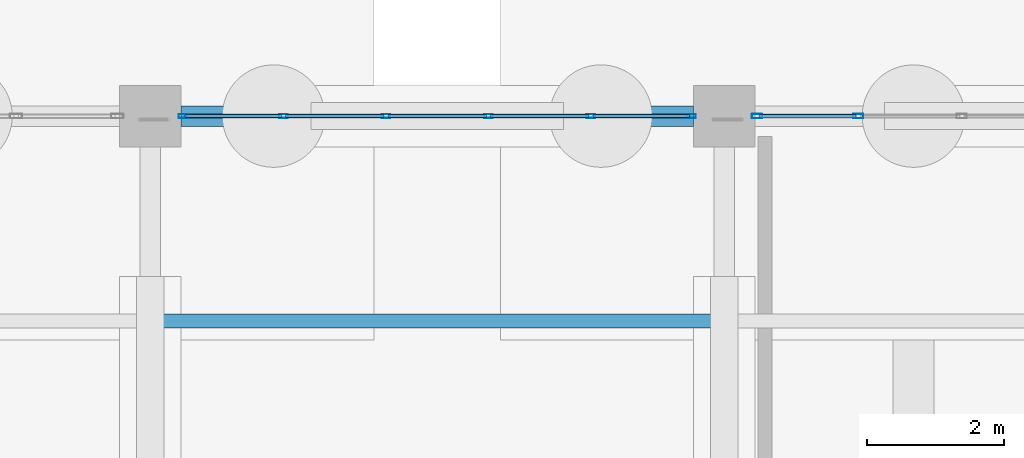
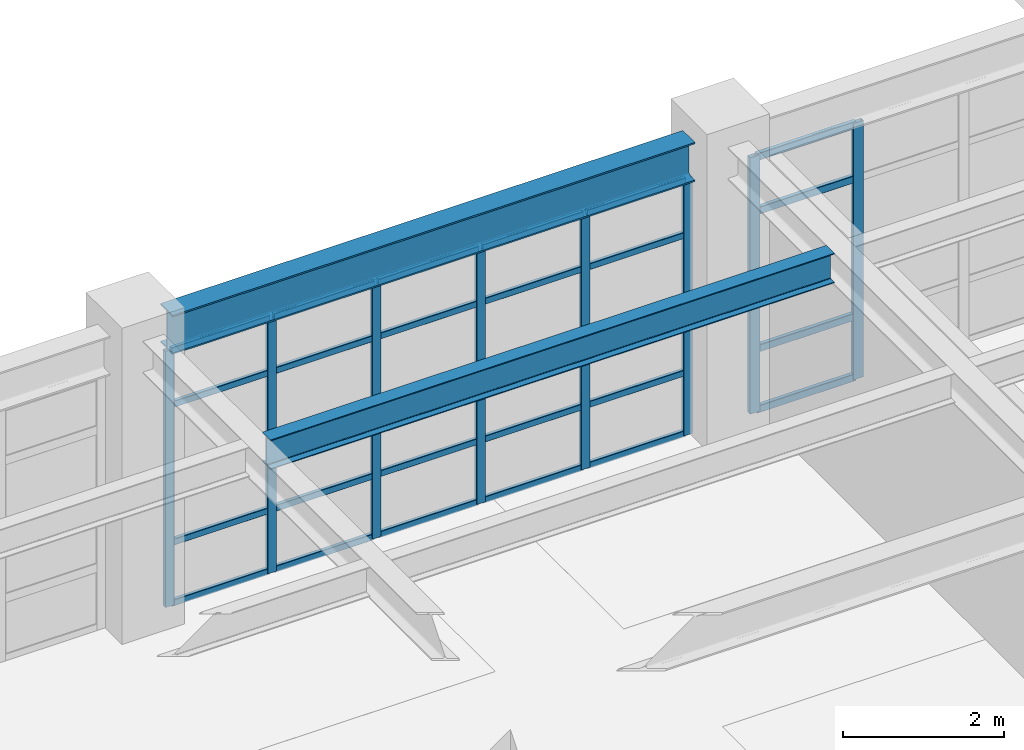
# One storey, part 77 of 139: 32 members, 2 beams, 2 elements without a shape of their own.
"""IFC4 building model written with IfcOpenShell, lengths in metres."""

from ifc_helpers import new_model, si_unit, direction, frame, origin, origin_2d, place, context, subcontext, project, spatial, hollow_rectangle, i_section, extrude, material, material_profile, profile_set, type_object, element, aggregate, save


model = new_model("IFC4")

# Units and contexts
model_context = context("Model", 3, precision=1e-05, world=origin(), true_north=direction((0.0, 1.0)))
body_context = subcontext(model_context, "Body", "Model", "MODEL_VIEW")
ifc_project = project(units=[si_unit("LENGTHUNIT", "METRE"), si_unit("AREAUNIT", "SQUARE_METRE"), si_unit("VOLUMEUNIT", "CUBIC_METRE"), si_unit("PLANEANGLEUNIT", "RADIAN"), si_unit("MASSUNIT", "GRAM", prefix="KILO")], contexts=[model_context])

# Site, building, storey
site_placement = place(None, origin())
site = spatial("IfcSite", under=ifc_project, at=site_placement, CompositionType="ELEMENT")
building_placement = place(site_placement, origin())
building = spatial("IfcBuilding", under=site, at=building_placement, Name="Canglan Escarpment Cableway Terminal", CompositionType="ELEMENT")
storey_placement = place(building_placement, frame((0.0, 0.0, 14.39990234375)))
storey = spatial("IfcBuildingStorey", under=building, at=storey_placement, Name="L03", CompositionType="ELEMENT", Elevation=14.39990234375)

# Beam
ifc_material_1 = material(Name="Steel Q355C", Category="steel")
ifc_material_profile_1 = material_profile(ifc_material_1, i_section(OverallWidth=0.302001953125, OverallDepth=0.593994140625, WebThickness=0.013916015625, FlangeThickness=0.02294921875, FilletRadius=0.028076171875, at=origin_2d()), Name="HM 594x302x14x23")
ifc_profile_set_1 = profile_set([ifc_material_profile_1], Name="Steel Q355C")
beam_type_1 = type_object("IfcBeamType", Name="BM-HM594", PredefinedType="BEAM", material=ifc_profile_set_1)
beam_1_placement = place(storey_placement, frame((120.35009765625, 115.0, 4.203125), z_axis=(1.0, 0.0, 0.0), x_axis=(0.0, 1.0, 0.0)))
element("IfcBeam", 1, at=beam_1_placement, inside=storey, type_object=beam_type_1, Name="Primary structural girder B-07", PredefinedType="BEAM", context=body_context, shape_type="SweptSolid", body=[
    extrude(i_section(OverallWidth=0.302001953125, OverallDepth=0.593994140625, WebThickness=0.013916015625, FlangeThickness=0.02294921875, FilletRadius=0.028076171875, at=origin_2d()), origin(), (0.0, 0.0, 1.0), 7.5),
])

# Curtain wall, members
ifc_material_2 = material(Name="Anodized bronze aluminium and Low-E double glazing", Category="aluminium")
curtain_wall_type_1 = type_object("IfcCurtainWallType", Name="CW-BAY-7500x3900", PredefinedType="NOTDEFINED", material=ifc_material_2)
curtain_wall_1_placement = place(storey_placement, origin())
curtain_wall_1 = element("IfcCurtainWall", 2, at=curtain_wall_1_placement, inside=storey, type_object=curtain_wall_type_1, Name="Classical bay-between-piers glazed curtain wall CW-50", PredefinedType="NOTDEFINED")
ifc_material_3 = material(Name="Thermally broken anodized aluminium 6063-T6", Category="aluminium")
ifc_material_profile_2 = material_profile(ifc_material_3, hollow_rectangle(XDim=0.06005859375, YDim=0.1298828125, WallThickness=0.0029296875, InnerFilletRadius=0.0029296875, OuterFilletRadius=0.006103515625, at=origin_2d()), Name="ALU-MULL 60x130x3")
ifc_profile_set_2 = profile_set([ifc_material_profile_2], Name="Thermally broken anodized aluminium 6063-T6")
member_type_1 = type_object("IfcMemberType", Name="CWM-01", PredefinedType="MULLION", material=ifc_profile_set_2)
member_1_placement = place(storey_placement, frame((127.820068359375, 115.0, 0.0), z_axis=(0.0, 0.0, 1.0), x_axis=(0.0, -1.0, 0.0)))
member_1 = element("IfcMember", 3, at=member_1_placement, type_object=member_type_1, Name="CW-50 mullion 1", PredefinedType="MULLION", context=body_context, shape_type="SweptSolid", body=[
    extrude(hollow_rectangle(XDim=0.06005859375, YDim=0.1298828125, WallThickness=0.0029296875, InnerFilletRadius=0.0029296875, OuterFilletRadius=0.006103515625, at=origin_2d()), origin(), (0.0, 0.0, 1.0), 3.89111328125),
])
member_2_placement = place(storey_placement, frame((126.35009765625, 115.0, 0.0), z_axis=(0.0, 0.0, 1.0), x_axis=(0.0, -1.0, 0.0)))
member_2 = element("IfcMember", 4, at=member_2_placement, type_object=member_type_1, Name="CW-50 mullion 2", PredefinedType="MULLION", context=body_context, shape_type="SweptSolid", body=[
    extrude(hollow_rectangle(XDim=0.06005859375, YDim=0.1298828125, WallThickness=0.0029296875, InnerFilletRadius=0.0029296875, OuterFilletRadius=0.006103515625, at=origin_2d()), origin(), (0.0, 0.0, 1.0), 3.89111328125),
])
member_3_placement = place(storey_placement, frame((124.85009765625, 115.0, 0.0), z_axis=(0.0, 0.0, 1.0), x_axis=(0.0, -1.0, 0.0)))
member_3 = element("IfcMember", 5, at=member_3_placement, type_object=member_type_1, Name="CW-50 mullion 3", PredefinedType="MULLION", context=body_context, shape_type="SweptSolid", body=[
    extrude(hollow_rectangle(XDim=0.06005859375, YDim=0.1298828125, WallThickness=0.0029296875, InnerFilletRadius=0.0029296875, OuterFilletRadius=0.006103515625, at=origin_2d()), origin(), (0.0, 0.0, 1.0), 3.89111328125),
])
member_4_placement = place(storey_placement, frame((123.35009765625, 115.0, 0.0), z_axis=(0.0, 0.0, 1.0), x_axis=(0.0, -1.0, 0.0)))
member_4 = element("IfcMember", 6, at=member_4_placement, type_object=member_type_1, Name="CW-50 mullion 4", PredefinedType="MULLION", context=body_context, shape_type="SweptSolid", body=[
    extrude(hollow_rectangle(XDim=0.06005859375, YDim=0.1298828125, WallThickness=0.0029296875, InnerFilletRadius=0.0029296875, OuterFilletRadius=0.006103515625, at=origin_2d()), origin(), (0.0, 0.0, 1.0), 3.89111328125),
])
member_5_placement = place(storey_placement, frame((121.85009765625, 115.0, 0.0), z_axis=(0.0, 0.0, 1.0), x_axis=(0.0, -1.0, 0.0)))
member_5 = element("IfcMember", 7, at=member_5_placement, type_object=member_type_1, Name="CW-50 mullion 5", PredefinedType="MULLION", context=body_context, shape_type="SweptSolid", body=[
    extrude(hollow_rectangle(XDim=0.06005859375, YDim=0.1298828125, WallThickness=0.0029296875, InnerFilletRadius=0.0029296875, OuterFilletRadius=0.006103515625, at=origin_2d()), origin(), (0.0, 0.0, 1.0), 3.89111328125),
])
member_6_placement = place(storey_placement, frame((120.3798828125, 115.0, 0.0), z_axis=(0.0, 0.0, 1.0), x_axis=(0.0, -1.0, 0.0)))
member_6 = element("IfcMember", 8, at=member_6_placement, type_object=member_type_1, Name="CW-50 mullion 6", PredefinedType="MULLION", context=body_context, shape_type="SweptSolid", body=[
    extrude(hollow_rectangle(XDim=0.06005859375, YDim=0.1298828125, WallThickness=0.0029296875, InnerFilletRadius=0.0029296875, OuterFilletRadius=0.006103515625, at=origin_2d()), origin(), (0.0, 0.0, 1.0), 3.89111328125),
])

curtain_wall_type_2 = type_object("IfcCurtainWallType", Name="CW-BAY-7575x3900", PredefinedType="NOTDEFINED", material=ifc_material_2)
curtain_wall_2_placement = place(storey_placement, origin())
curtain_wall_2 = element("IfcCurtainWall", 9, at=curtain_wall_2_placement, inside=storey, type_object=curtain_wall_type_2, Name="Classical bay-between-piers glazed curtain wall CW-49", PredefinedType="NOTDEFINED")
ifc_material_profile_3 = material_profile(ifc_material_3, hollow_rectangle(XDim=0.06494140625, YDim=0.14990234375, WallThickness=0.00341796875, InnerFilletRadius=0.00341796875, OuterFilletRadius=0.007080078125, at=origin_2d()), Name="ALU-MULL 65x150x3.5")
ifc_profile_set_3 = profile_set([ifc_material_profile_3], Name="Thermally broken anodized aluminium 6063-T6")
member_type_2 = type_object("IfcMemberType", Name="CWM-02", PredefinedType="MULLION", material=ifc_profile_set_3)
member_7_placement = place(storey_placement, frame((130.264892578125, 115.0, 0.0), z_axis=(0.0, 0.0, 1.0), x_axis=(0.0, -1.0, 0.0)))
member_7 = element("IfcMember", 10, at=member_7_placement, type_object=member_type_2, Name="CW-49 mullion 5", PredefinedType="MULLION", context=body_context, shape_type="SweptSolid", body=[
    extrude(hollow_rectangle(XDim=0.06494140625, YDim=0.14990234375, WallThickness=0.00341796875, InnerFilletRadius=0.00341796875, OuterFilletRadius=0.007080078125, at=origin_2d()), origin(), (0.0, 0.0, 1.0), 3.89111328125),
])
member_8_placement = place(storey_placement, frame((128.782470703125, 115.0, 0.0), z_axis=(0.0, 0.0, 1.0), x_axis=(0.0, -1.0, 0.0)))
member_8 = element("IfcMember", 11, at=member_8_placement, type_object=member_type_2, Name="CW-49 mullion 6", PredefinedType="MULLION", context=body_context, shape_type="SweptSolid", body=[
    extrude(hollow_rectangle(XDim=0.06494140625, YDim=0.14990234375, WallThickness=0.00341796875, InnerFilletRadius=0.00341796875, OuterFilletRadius=0.007080078125, at=origin_2d()), origin(), (0.0, 0.0, 1.0), 3.89111328125),
])

# Member
ifc_material_profile_4 = material_profile(ifc_material_3, hollow_rectangle(XDim=0.054931640625, YDim=0.094970703125, WallThickness=0.0029296875, InnerFilletRadius=0.0029296875, OuterFilletRadius=0.006103515625, at=origin_2d()), Name="ALU-TRAN 55x95x3")
ifc_profile_set_4 = profile_set([ifc_material_profile_4], Name="Thermally broken anodized aluminium 6063-T6")
member_type_3 = type_object("IfcMemberType", Name="CWT-01", PredefinedType="USERDEFINED", material=ifc_profile_set_4)
member_9_placement = place(storey_placement, frame((127.7900390625, 115.0, 0.027587890625), z_axis=(-1.0, 0.0, 0.0), x_axis=(0.0, -1.0, 0.0)))
member_9 = element("IfcMember", 12, at=member_9_placement, type_object=member_type_3, Name="CW-50 transom 1.1", ObjectType="TRANSOM", PredefinedType="USERDEFINED", context=body_context, shape_type="SweptSolid", body=[
    extrude(hollow_rectangle(XDim=0.054931640625, YDim=0.094970703125, WallThickness=0.0029296875, InnerFilletRadius=0.0029296875, OuterFilletRadius=0.006103515625, at=origin_2d()), origin(), (0.0, 0.0, 1.0), 1.41015625),
])

member_10_placement = place(storey_placement, frame((127.7900390625, 115.0, 0.9501953125), z_axis=(-1.0, 0.0, 0.0), x_axis=(0.0, -1.0, 0.0)))
member_10 = element("IfcMember", 13, at=member_10_placement, type_object=member_type_3, Name="CW-50 transom 1.2", ObjectType="TRANSOM", PredefinedType="USERDEFINED", context=body_context, shape_type="SweptSolid", body=[
    extrude(hollow_rectangle(XDim=0.054931640625, YDim=0.094970703125, WallThickness=0.0029296875, InnerFilletRadius=0.0029296875, OuterFilletRadius=0.006103515625, at=origin_2d()), origin(), (0.0, 0.0, 1.0), 1.41015625),
])

member_11_placement = place(storey_placement, frame((127.7900390625, 115.0, 3.041015625), z_axis=(-1.0, 0.0, 0.0), x_axis=(0.0, -1.0, 0.0)))
member_11 = element("IfcMember", 14, at=member_11_placement, type_object=member_type_3, Name="CW-50 transom 1.3", ObjectType="TRANSOM", PredefinedType="USERDEFINED", context=body_context, shape_type="SweptSolid", body=[
    extrude(hollow_rectangle(XDim=0.054931640625, YDim=0.094970703125, WallThickness=0.0029296875, InnerFilletRadius=0.0029296875, OuterFilletRadius=0.006103515625, at=origin_2d()), origin(), (0.0, 0.0, 1.0), 1.41015625),
])

member_12_placement = place(storey_placement, frame((127.7900390625, 115.0, 3.863525390625), z_axis=(-1.0, 0.0, 0.0), x_axis=(0.0, -1.0, 0.0)))
member_12 = element("IfcMember", 15, at=member_12_placement, type_object=member_type_3, Name="CW-50 transom 1.4", ObjectType="TRANSOM", PredefinedType="USERDEFINED", context=body_context, shape_type="SweptSolid", body=[
    extrude(hollow_rectangle(XDim=0.054931640625, YDim=0.094970703125, WallThickness=0.0029296875, InnerFilletRadius=0.0029296875, OuterFilletRadius=0.006103515625, at=origin_2d()), origin(), (0.0, 0.0, 1.0), 1.41015625),
])

member_13_placement = place(storey_placement, frame((126.320068359375, 115.0, 0.027587890625), z_axis=(-1.0, 0.0, 0.0), x_axis=(0.0, -1.0, 0.0)))
member_13 = element("IfcMember", 16, at=member_13_placement, type_object=member_type_3, Name="CW-50 transom 2.1", ObjectType="TRANSOM", PredefinedType="USERDEFINED", context=body_context, shape_type="SweptSolid", body=[
    extrude(hollow_rectangle(XDim=0.054931640625, YDim=0.094970703125, WallThickness=0.0029296875, InnerFilletRadius=0.0029296875, OuterFilletRadius=0.006103515625, at=origin_2d()), origin(), (0.0, 0.0, 1.0), 1.440185546875),
])

member_14_placement = place(storey_placement, frame((126.320068359375, 115.0, 0.9501953125), z_axis=(-1.0, 0.0, 0.0), x_axis=(0.0, -1.0, 0.0)))
member_14 = element("IfcMember", 17, at=member_14_placement, type_object=member_type_3, Name="CW-50 transom 2.2", ObjectType="TRANSOM", PredefinedType="USERDEFINED", context=body_context, shape_type="SweptSolid", body=[
    extrude(hollow_rectangle(XDim=0.054931640625, YDim=0.094970703125, WallThickness=0.0029296875, InnerFilletRadius=0.0029296875, OuterFilletRadius=0.006103515625, at=origin_2d()), origin(), (0.0, 0.0, 1.0), 1.440185546875),
])

member_15_placement = place(storey_placement, frame((126.320068359375, 115.0, 3.041015625), z_axis=(-1.0, 0.0, 0.0), x_axis=(0.0, -1.0, 0.0)))
member_15 = element("IfcMember", 18, at=member_15_placement, type_object=member_type_3, Name="CW-50 transom 2.3", ObjectType="TRANSOM", PredefinedType="USERDEFINED", context=body_context, shape_type="SweptSolid", body=[
    extrude(hollow_rectangle(XDim=0.054931640625, YDim=0.094970703125, WallThickness=0.0029296875, InnerFilletRadius=0.0029296875, OuterFilletRadius=0.006103515625, at=origin_2d()), origin(), (0.0, 0.0, 1.0), 1.440185546875),
])

member_16_placement = place(storey_placement, frame((126.320068359375, 115.0, 3.863525390625), z_axis=(-1.0, 0.0, 0.0), x_axis=(0.0, -1.0, 0.0)))
member_16 = element("IfcMember", 19, at=member_16_placement, type_object=member_type_3, Name="CW-50 transom 2.4", ObjectType="TRANSOM", PredefinedType="USERDEFINED", context=body_context, shape_type="SweptSolid", body=[
    extrude(hollow_rectangle(XDim=0.054931640625, YDim=0.094970703125, WallThickness=0.0029296875, InnerFilletRadius=0.0029296875, OuterFilletRadius=0.006103515625, at=origin_2d()), origin(), (0.0, 0.0, 1.0), 1.440185546875),
])

member_17_placement = place(storey_placement, frame((124.820068359375, 115.0, 0.027587890625), z_axis=(-1.0, 0.0, 0.0), x_axis=(0.0, -1.0, 0.0)))
member_17 = element("IfcMember", 20, at=member_17_placement, type_object=member_type_3, Name="CW-50 transom 3.1", ObjectType="TRANSOM", PredefinedType="USERDEFINED", context=body_context, shape_type="SweptSolid", body=[
    extrude(hollow_rectangle(XDim=0.054931640625, YDim=0.094970703125, WallThickness=0.0029296875, InnerFilletRadius=0.0029296875, OuterFilletRadius=0.006103515625, at=origin_2d()), origin(), (0.0, 0.0, 1.0), 1.440185546875),
])

member_18_placement = place(storey_placement, frame((124.820068359375, 115.0, 0.9501953125), z_axis=(-1.0, 0.0, 0.0), x_axis=(0.0, -1.0, 0.0)))
member_18 = element("IfcMember", 21, at=member_18_placement, type_object=member_type_3, Name="CW-50 transom 3.2", ObjectType="TRANSOM", PredefinedType="USERDEFINED", context=body_context, shape_type="SweptSolid", body=[
    extrude(hollow_rectangle(XDim=0.054931640625, YDim=0.094970703125, WallThickness=0.0029296875, InnerFilletRadius=0.0029296875, OuterFilletRadius=0.006103515625, at=origin_2d()), origin(), (0.0, 0.0, 1.0), 1.440185546875),
])

member_19_placement = place(storey_placement, frame((124.820068359375, 115.0, 3.041015625), z_axis=(-1.0, 0.0, 0.0), x_axis=(0.0, -1.0, 0.0)))
member_19 = element("IfcMember", 22, at=member_19_placement, type_object=member_type_3, Name="CW-50 transom 3.3", ObjectType="TRANSOM", PredefinedType="USERDEFINED", context=body_context, shape_type="SweptSolid", body=[
    extrude(hollow_rectangle(XDim=0.054931640625, YDim=0.094970703125, WallThickness=0.0029296875, InnerFilletRadius=0.0029296875, OuterFilletRadius=0.006103515625, at=origin_2d()), origin(), (0.0, 0.0, 1.0), 1.440185546875),
])

member_20_placement = place(storey_placement, frame((124.820068359375, 115.0, 3.863525390625), z_axis=(-1.0, 0.0, 0.0), x_axis=(0.0, -1.0, 0.0)))
member_20 = element("IfcMember", 23, at=member_20_placement, type_object=member_type_3, Name="CW-50 transom 3.4", ObjectType="TRANSOM", PredefinedType="USERDEFINED", context=body_context, shape_type="SweptSolid", body=[
    extrude(hollow_rectangle(XDim=0.054931640625, YDim=0.094970703125, WallThickness=0.0029296875, InnerFilletRadius=0.0029296875, OuterFilletRadius=0.006103515625, at=origin_2d()), origin(), (0.0, 0.0, 1.0), 1.440185546875),
])

member_21_placement = place(storey_placement, frame((123.320068359375, 115.0, 0.027587890625), z_axis=(-1.0, 0.0, 0.0), x_axis=(0.0, -1.0, 0.0)))
member_21 = element("IfcMember", 24, at=member_21_placement, type_object=member_type_3, Name="CW-50 transom 4.1", ObjectType="TRANSOM", PredefinedType="USERDEFINED", context=body_context, shape_type="SweptSolid", body=[
    extrude(hollow_rectangle(XDim=0.054931640625, YDim=0.094970703125, WallThickness=0.0029296875, InnerFilletRadius=0.0029296875, OuterFilletRadius=0.006103515625, at=origin_2d()), origin(), (0.0, 0.0, 1.0), 1.440185546875),
])

member_22_placement = place(storey_placement, frame((123.320068359375, 115.0, 0.9501953125), z_axis=(-1.0, 0.0, 0.0), x_axis=(0.0, -1.0, 0.0)))
member_22 = element("IfcMember", 25, at=member_22_placement, type_object=member_type_3, Name="CW-50 transom 4.2", ObjectType="TRANSOM", PredefinedType="USERDEFINED", context=body_context, shape_type="SweptSolid", body=[
    extrude(hollow_rectangle(XDim=0.054931640625, YDim=0.094970703125, WallThickness=0.0029296875, InnerFilletRadius=0.0029296875, OuterFilletRadius=0.006103515625, at=origin_2d()), origin(), (0.0, 0.0, 1.0), 1.440185546875),
])

member_23_placement = place(storey_placement, frame((123.320068359375, 115.0, 3.041015625), z_axis=(-1.0, 0.0, 0.0), x_axis=(0.0, -1.0, 0.0)))
member_23 = element("IfcMember", 26, at=member_23_placement, type_object=member_type_3, Name="CW-50 transom 4.3", ObjectType="TRANSOM", PredefinedType="USERDEFINED", context=body_context, shape_type="SweptSolid", body=[
    extrude(hollow_rectangle(XDim=0.054931640625, YDim=0.094970703125, WallThickness=0.0029296875, InnerFilletRadius=0.0029296875, OuterFilletRadius=0.006103515625, at=origin_2d()), origin(), (0.0, 0.0, 1.0), 1.440185546875),
])

member_24_placement = place(storey_placement, frame((123.320068359375, 115.0, 3.863525390625), z_axis=(-1.0, 0.0, 0.0), x_axis=(0.0, -1.0, 0.0)))
member_24 = element("IfcMember", 27, at=member_24_placement, type_object=member_type_3, Name="CW-50 transom 4.4", ObjectType="TRANSOM", PredefinedType="USERDEFINED", context=body_context, shape_type="SweptSolid", body=[
    extrude(hollow_rectangle(XDim=0.054931640625, YDim=0.094970703125, WallThickness=0.0029296875, InnerFilletRadius=0.0029296875, OuterFilletRadius=0.006103515625, at=origin_2d()), origin(), (0.0, 0.0, 1.0), 1.440185546875),
])

member_25_placement = place(storey_placement, frame((121.820068359375, 115.0, 0.027587890625), z_axis=(-1.0, 0.0, 0.0), x_axis=(0.0, -1.0, 0.0)))
member_25 = element("IfcMember", 28, at=member_25_placement, type_object=member_type_3, Name="CW-50 transom 5.1", ObjectType="TRANSOM", PredefinedType="USERDEFINED", context=body_context, shape_type="SweptSolid", body=[
    extrude(hollow_rectangle(XDim=0.054931640625, YDim=0.094970703125, WallThickness=0.0029296875, InnerFilletRadius=0.0029296875, OuterFilletRadius=0.006103515625, at=origin_2d()), origin(), (0.0, 0.0, 1.0), 1.41015625),
])

member_26_placement = place(storey_placement, frame((121.820068359375, 115.0, 0.9501953125), z_axis=(-1.0, 0.0, 0.0), x_axis=(0.0, -1.0, 0.0)))
member_26 = element("IfcMember", 29, at=member_26_placement, type_object=member_type_3, Name="CW-50 transom 5.2", ObjectType="TRANSOM", PredefinedType="USERDEFINED", context=body_context, shape_type="SweptSolid", body=[
    extrude(hollow_rectangle(XDim=0.054931640625, YDim=0.094970703125, WallThickness=0.0029296875, InnerFilletRadius=0.0029296875, OuterFilletRadius=0.006103515625, at=origin_2d()), origin(), (0.0, 0.0, 1.0), 1.41015625),
])

member_27_placement = place(storey_placement, frame((121.820068359375, 115.0, 3.041015625), z_axis=(-1.0, 0.0, 0.0), x_axis=(0.0, -1.0, 0.0)))
member_27 = element("IfcMember", 30, at=member_27_placement, type_object=member_type_3, Name="CW-50 transom 5.3", ObjectType="TRANSOM", PredefinedType="USERDEFINED", context=body_context, shape_type="SweptSolid", body=[
    extrude(hollow_rectangle(XDim=0.054931640625, YDim=0.094970703125, WallThickness=0.0029296875, InnerFilletRadius=0.0029296875, OuterFilletRadius=0.006103515625, at=origin_2d()), origin(), (0.0, 0.0, 1.0), 1.41015625),
])

member_28_placement = place(storey_placement, frame((121.820068359375, 115.0, 3.863525390625), z_axis=(-1.0, 0.0, 0.0), x_axis=(0.0, -1.0, 0.0)))
member_28 = element("IfcMember", 31, at=member_28_placement, type_object=member_type_3, Name="CW-50 transom 5.4", ObjectType="TRANSOM", PredefinedType="USERDEFINED", context=body_context, shape_type="SweptSolid", body=[
    extrude(hollow_rectangle(XDim=0.054931640625, YDim=0.094970703125, WallThickness=0.0029296875, InnerFilletRadius=0.0029296875, OuterFilletRadius=0.006103515625, at=origin_2d()), origin(), (0.0, 0.0, 1.0), 1.41015625),
])

aggregate(curtain_wall_1, [member_1, member_2, member_3, member_4, member_5, member_6, member_9, member_10, member_11, member_12, member_13, member_14, member_15, member_16, member_17, member_18, member_19, member_20, member_21, member_22, member_23, member_24, member_25, member_26, member_27, member_28])

ifc_material_profile_5 = material_profile(ifc_material_3, hollow_rectangle(XDim=0.06005859375, YDim=0.110107421875, WallThickness=0.0029296875, InnerFilletRadius=0.0029296875, OuterFilletRadius=0.006103515625, at=origin_2d()), Name="ALU-TRAN 60x110x3")
ifc_profile_set_5 = profile_set([ifc_material_profile_5], Name="Thermally broken anodized aluminium 6063-T6")
member_type_4 = type_object("IfcMemberType", Name="CWT-02", PredefinedType="USERDEFINED", material=ifc_profile_set_5)
member_29_placement = place(storey_placement, frame((130.232421875, 115.0, 0.030029296875), z_axis=(-1.0, 0.0, 0.0), x_axis=(0.0, -1.0, 0.0)))
member_29 = element("IfcMember", 32, at=member_29_placement, type_object=member_type_4, Name="CW-49 transom 5.1", ObjectType="TRANSOM", PredefinedType="USERDEFINED", context=body_context, shape_type="SweptSolid", body=[
    extrude(hollow_rectangle(XDim=0.06005859375, YDim=0.110107421875, WallThickness=0.0029296875, InnerFilletRadius=0.0029296875, OuterFilletRadius=0.006103515625, at=origin_2d()), origin(), (0.0, 0.0, 1.0), 1.41748046875),
])

member_30_placement = place(storey_placement, frame((130.232421875, 115.0, 0.9501953125), z_axis=(-1.0, 0.0, 0.0), x_axis=(0.0, -1.0, 0.0)))
member_30 = element("IfcMember", 33, at=member_30_placement, type_object=member_type_4, Name="CW-49 transom 5.2", ObjectType="TRANSOM", PredefinedType="USERDEFINED", context=body_context, shape_type="SweptSolid", body=[
    extrude(hollow_rectangle(XDim=0.06005859375, YDim=0.110107421875, WallThickness=0.0029296875, InnerFilletRadius=0.0029296875, OuterFilletRadius=0.006103515625, at=origin_2d()), origin(), (0.0, 0.0, 1.0), 1.41748046875),
])

member_31_placement = place(storey_placement, frame((130.232421875, 115.0, 3.041015625), z_axis=(-1.0, 0.0, 0.0), x_axis=(0.0, -1.0, 0.0)))
member_31 = element("IfcMember", 34, at=member_31_placement, type_object=member_type_4, Name="CW-49 transom 5.3", ObjectType="TRANSOM", PredefinedType="USERDEFINED", context=body_context, shape_type="SweptSolid", body=[
    extrude(hollow_rectangle(XDim=0.06005859375, YDim=0.110107421875, WallThickness=0.0029296875, InnerFilletRadius=0.0029296875, OuterFilletRadius=0.006103515625, at=origin_2d()), origin(), (0.0, 0.0, 1.0), 1.41748046875),
])

member_32_placement = place(storey_placement, frame((130.232421875, 115.0, 3.861083984375), z_axis=(-1.0, 0.0, 0.0), x_axis=(0.0, -1.0, 0.0)))
member_32 = element("IfcMember", 35, at=member_32_placement, type_object=member_type_4, Name="CW-49 transom 5.4", ObjectType="TRANSOM", PredefinedType="USERDEFINED", context=body_context, shape_type="SweptSolid", body=[
    extrude(hollow_rectangle(XDim=0.06005859375, YDim=0.110107421875, WallThickness=0.0029296875, InnerFilletRadius=0.0029296875, OuterFilletRadius=0.006103515625, at=origin_2d()), origin(), (0.0, 0.0, 1.0), 1.41748046875),
])

aggregate(curtain_wall_2, [member_7, member_8, member_29, member_30, member_31, member_32])

# Beam
ifc_material_4 = material(Name="Steel Q355B", Category="steel")
ifc_material_profile_6 = material_profile(ifc_material_4, i_section(OverallWidth=0.199951171875, OverallDepth=0.449951171875, WebThickness=0.009033203125, FlangeThickness=0.013916015625, FilletRadius=0.01806640625, at=origin_2d()), Name="HN 450x200x9x14")
ifc_profile_set_6 = profile_set([ifc_material_profile_6], Name="Steel Q355B")
beam_type_2 = type_object("IfcBeamType", Name="JS-HN450", PredefinedType="JOIST", material=ifc_profile_set_6)
beam_2_placement = place(storey_placement, frame((120.050048828125, 112.0, 4.275146484375), z_axis=(1.0, 0.0, 0.0), x_axis=(0.0, 1.0, 0.0)))
element("IfcBeam", 36, at=beam_2_placement, inside=storey, type_object=beam_type_2, Name="Secondary composite deck joist J-02", PredefinedType="JOIST", context=body_context, shape_type="SweptSolid", body=[
    extrude(i_section(OverallWidth=0.199951171875, OverallDepth=0.449951171875, WebThickness=0.009033203125, FlangeThickness=0.013916015625, FilletRadius=0.01806640625, at=origin_2d()), origin(), (0.0, 0.0, 1.0), 8.099853515625),
])

save(model, "model.ifc")
